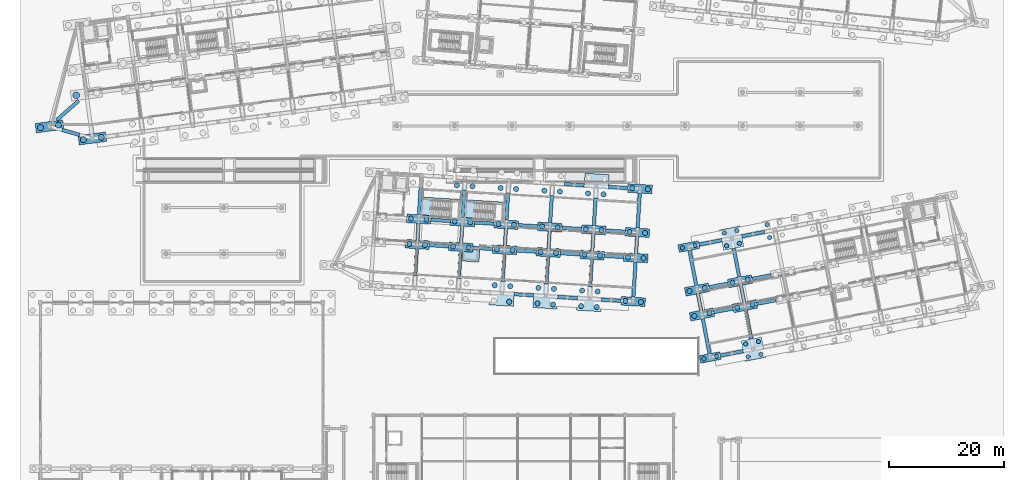
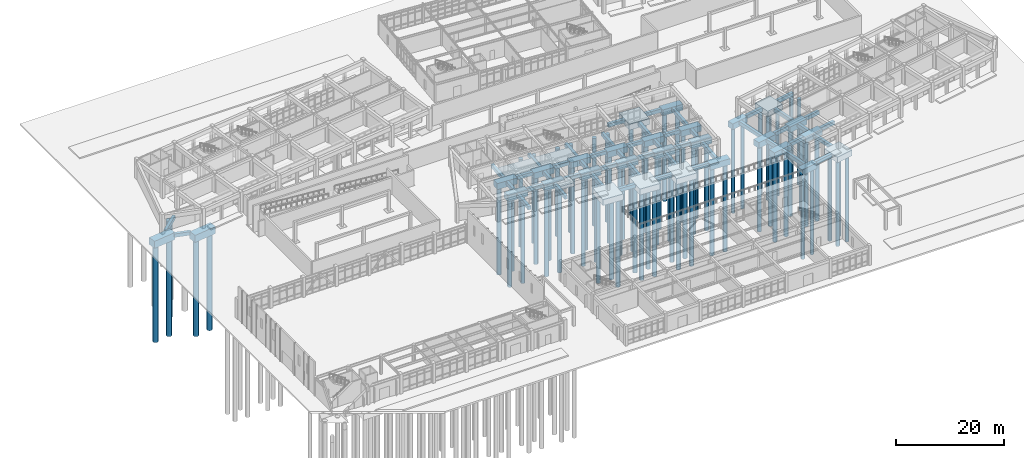
# One storey, part 2 of 154: 79 footings, 74 piles.
"""IFC4 building model written with IfcOpenShell, lengths in metres."""

from ifc_helpers import new_model, si_unit, direction, frame, origin, origin_2d, place, context, subcontext, project, spatial, rectangle, circle, extrude, material, material_profile, profile_set, type_object, element, save


model = new_model("IFC4")

# Units and contexts
model_context = context("Model", 3, precision=1e-05, world=origin(), true_north=direction((0.0, 1.0)))
body_context = subcontext(model_context, "Body", "Model", "MODEL_VIEW")
ifc_project = project(units=[si_unit("LENGTHUNIT", "METRE"), si_unit("AREAUNIT", "SQUARE_METRE"), si_unit("VOLUMEUNIT", "CUBIC_METRE"), si_unit("PLANEANGLEUNIT", "RADIAN"), si_unit("MASSUNIT", "GRAM", prefix="KILO")], contexts=[model_context])

# Site, building, storey
site_placement = place(None, origin())
site = spatial("IfcSite", under=ifc_project, at=site_placement, CompositionType="ELEMENT")
building_placement = place(site_placement, origin())
building = spatial("IfcBuilding", under=site, at=building_placement, Name="Kestramere Prow Commons", CompositionType="ELEMENT")
storey_placement = place(building_placement, origin())
storey = spatial("IfcBuildingStorey", under=building, at=storey_placement, Name="L00", CompositionType="ELEMENT", Elevation=0.0)

# Piles
ifc_material = material(Name="Concrete C35/45", Category="concrete")
ifc_material_profile_1 = material_profile(ifc_material, circle(Radius=0.52490234375, at=origin_2d()), Name="BORED PILE D1050")
ifc_profile_set_1 = profile_set([ifc_material_profile_1], Name="Concrete C35/45")
pile_type_1 = type_object("IfcPileType", Name="BP-1050 BORED PILE D1050", PredefinedType="BORED", material=ifc_profile_set_1)
for number, where, z_axis, x_axis, name in (
    (1, (9.638427734375, 71.79443359375, -1.85009765625), (0.0, 0.0, -1.0), (1.0, 0.0, 0.0), "Bored pile FC-A-0-0-P1"),
    (2, (12.761474609375, 72.20556640625, -1.85009765625), (0.0, 0.0, -1.0), (1.0, 0.0, 0.0), "Bored pile FC-A-0-0-P2"),
    (3, (2.201171875, 73.8916015625, -1.85009765625), (0.0, 0.0, -1.0), (1.0, 0.0, 0.0), "Bored pile FC-A-PROW-P1"),
    (4, (5.32421875, 74.302734375, -1.85009765625), (0.0, 0.0, -1.0), (1.0, 0.0, 0.0), "Bored pile FC-A-PROW-P2"),
):
    element("IfcPile", number, at=place(storey_placement, frame(where, z_axis=z_axis, x_axis=x_axis)), inside=storey, type_object=pile_type_1, Name=name, PredefinedType="BORED", context=body_context, shape_type="SweptSolid", body=[
        extrude(circle(Radius=0.52490234375, at=origin_2d()), origin(), (0.0, 0.0, 1.0), 21.800048828125),
    ])
ifc_material_profile_2 = material_profile(ifc_material, circle(Radius=0.60009765625, at=origin_2d()), Name="BORED PILE D1200")
ifc_profile_set_2 = profile_set([ifc_material_profile_2], Name="Concrete C35/45")
pile_type_2 = type_object("IfcPileType", Name="BP-1200 BORED PILE D1200", PredefinedType="BORED", material=ifc_profile_set_2)
pile_placement = place(storey_placement, frame((8.397216796875, 79.498291015625, -1.85009765625), z_axis=(0.0, 0.0, -1.0), x_axis=(1.0, 0.0, 0.0)))
element("IfcPile", 5, at=pile_placement, inside=storey, type_object=pile_type_2, Name="Bored pile FC-A-0-1-P1", PredefinedType="BORED", context=body_context, shape_type="SweptSolid", body=[
    extrude(circle(Radius=0.60009765625, at=origin_2d()), origin(), (0.0, 0.0, 1.0), 21.800048828125),
])
ifc_material_profile_3 = material_profile(ifc_material, circle(Radius=0.375, at=origin_2d()), Name="BORED PILE D750")
ifc_profile_set_3 = profile_set([ifc_material_profile_3], Name="Concrete C35/45")
pile_type_3 = type_object("IfcPileType", Name="BP-750 BORED PILE D750", PredefinedType="BORED", material=ifc_profile_set_3)
for number, where, z_axis, x_axis, name in (
    (6, (117.295654296875, 33.785400390625, -1.550048828125), (0.0, 0.0, -1.0), (1.0, 0.0, 0.0), "Bored pile FC-D-0-0-P1"),
    (7, (119.50439453125, 34.214599609375, -1.550048828125), (0.0, 0.0, -1.0), (1.0, 0.0, 0.0), "Bored pile FC-D-0-0-P2"),
    (8, (113.555908203125, 53.025146484375, -1.550048828125), (0.0, 0.0, -1.0), (1.0, 0.0, 0.0), "Bored pile FC-D-0-3-P1"),
    (9, (115.764404296875, 53.45458984375, -1.550048828125), (0.0, 0.0, -1.0), (1.0, 0.0, 0.0), "Bored pile FC-D-0-3-P2"),
    (10, (124.970703125, 34.131103515625, -1.550048828125), (0.0, 0.0, -1.0), (1.0, 0.0, 0.0), "Bored pile FC-D-1-0-P1"),
    (11, (127.179443359375, 34.560546875, -1.550048828125), (0.0, 0.0, -1.0), (1.0, 0.0, 0.0), "Bored pile FC-D-1-0-P2"),
    (12, (124.541259765625, 36.33984375, -1.550048828125), (0.0, 0.0, -1.0), (1.0, 0.0, 0.0), "Bored pile FC-D-1-0-P3"),
    (13, (126.75, 36.76904296875, -1.550048828125), (0.0, 0.0, -1.0), (1.0, 0.0, 0.0), "Bored pile FC-D-1-0-P4"),
    (14, (121.23095703125, 53.37109375, -1.550048828125), (0.0, 0.0, -1.0), (1.0, 0.0, 0.0), "Bored pile FC-D-1-3-P1"),
    (15, (123.439453125, 53.80029296875, -1.550048828125), (0.0, 0.0, -1.0), (1.0, 0.0, 0.0), "Bored pile FC-D-1-3-P2"),
    (16, (120.801513671875, 55.579833984375, -1.550048828125), (0.0, 0.0, -1.0), (1.0, 0.0, 0.0), "Bored pile FC-D-1-3-P3"),
    (17, (123.01025390625, 56.009033203125, -1.550048828125), (0.0, 0.0, -1.0), (1.0, 0.0, 0.0), "Bored pile FC-D-1-3-P4"),
    (18, (128.691162109375, 54.8212890625, -1.550048828125), (0.0, 0.0, -1.0), (1.0, 0.0, 0.0), "Bored pile FC-D-2-3-P1"),
    (19, (128.261962890625, 57.02978515625, -1.550048828125), (0.0, 0.0, -1.0), (1.0, 0.0, 0.0), "Bored pile FC-D-2-3-P3"),
):
    element("IfcPile", number, at=place(storey_placement, frame(where, z_axis=z_axis, x_axis=x_axis)), inside=storey, type_object=pile_type_3, Name=name, PredefinedType="BORED", context=body_context, shape_type="SweptSolid", body=[
        extrude(circle(Radius=0.375, at=origin_2d()), origin(), (0.0, 0.0, 1.0), 19.39990234375),
    ])
ifc_material_profile_4 = material_profile(ifc_material, circle(Radius=0.449951171875, at=origin_2d()), Name="BORED PILE D900")
ifc_profile_set_4 = profile_set([ifc_material_profile_4], Name="Concrete C35/45")
pile_type_4 = type_object("IfcPileType", Name="BP-900 BORED PILE D900", PredefinedType="BORED", material=ifc_profile_set_4)
for number, where, z_axis, x_axis, name in (
    (20, (66.202392578125, 53.704345703125, -1.60009765625), (0.0, 0.0, -1.0), (1.0, 0.0, 0.0), "Bored pile FC-C-1-1-P1"),
    (21, (68.897216796875, 53.53955078125, -1.60009765625), (0.0, 0.0, -1.0), (1.0, 0.0, 0.0), "Bored pile FC-C-1-1-P2"),
    (22, (66.470947265625, 58.095947265625, -1.60009765625), (0.0, 0.0, -1.0), (1.0, 0.0, 0.0), "Bored pile FC-C-1-2-P1"),
    (23, (69.165771484375, 57.93115234375, -1.60009765625), (0.0, 0.0, -1.0), (1.0, 0.0, 0.0), "Bored pile FC-C-1-2-P2"),
    (24, (73.7880859375, 53.240234375, -1.60009765625), (0.0, 0.0, -1.0), (1.0, 0.0, 0.0), "Bored pile FC-C-2-1-P1"),
    (25, (76.483154296875, 53.075439453125, -1.60009765625), (0.0, 0.0, -1.0), (1.0, 0.0, 0.0), "Bored pile FC-C-2-1-P2"),
    (26, (74.056640625, 57.632080078125, -1.60009765625), (0.0, 0.0, -1.0), (1.0, 0.0, 0.0), "Bored pile FC-C-2-2-P1"),
    (27, (76.751708984375, 57.46728515625, -1.60009765625), (0.0, 0.0, -1.0), (1.0, 0.0, 0.0), "Bored pile FC-C-2-2-P2"),
    (28, (74.438232421875, 63.870361328125, -1.60009765625), (0.0, 0.0, -1.0), (1.0, 0.0, 0.0), "Bored pile FC-C-2-3-P1"),
    (29, (77.13330078125, 63.70556640625, -1.60009765625), (0.0, 0.0, -1.0), (1.0, 0.0, 0.0), "Bored pile FC-C-2-3-P2"),
    (30, (83.5224609375, 43.67822265625, -1.60009765625), (0.0, 0.0, -1.0), (1.0, 0.0, 0.0), "Bored pile FC-C-3-0-P2"),
    (31, (80.992431640625, 46.5380859375, -1.60009765625), (0.0, 0.0, -1.0), (1.0, 0.0, 0.0), "Bored pile FC-C-3-0-P3"),
    (32, (83.687255859375, 46.373046875, -1.60009765625), (0.0, 0.0, -1.0), (1.0, 0.0, 0.0), "Bored pile FC-C-3-0-P4"),
    (33, (81.3740234375, 52.7763671875, -1.60009765625), (0.0, 0.0, -1.0), (1.0, 0.0, 0.0), "Bored pile FC-C-3-1-P1"),
    (34, (84.06884765625, 52.611572265625, -1.60009765625), (0.0, 0.0, -1.0), (1.0, 0.0, 0.0), "Bored pile FC-C-3-1-P2"),
    (35, (81.642578125, 57.168212890625, -1.60009765625), (0.0, 0.0, -1.0), (1.0, 0.0, 0.0), "Bored pile FC-C-3-2-P1"),
    (36, (84.337646484375, 57.003173828125, -1.60009765625), (0.0, 0.0, -1.0), (1.0, 0.0, 0.0), "Bored pile FC-C-3-2-P2"),
    (37, (82.024169921875, 63.406494140625, -1.60009765625), (0.0, 0.0, -1.0), (1.0, 0.0, 0.0), "Bored pile FC-C-3-3-P1"),
    (38, (84.718994140625, 63.24169921875, -1.60009765625), (0.0, 0.0, -1.0), (1.0, 0.0, 0.0), "Bored pile FC-C-3-3-P2"),
    (39, (88.413330078125, 43.379150390625, -1.60009765625), (0.0, 0.0, -1.0), (1.0, 0.0, 0.0), "Bored pile FC-C-4-0-P1"),
    (40, (91.1083984375, 43.214111328125, -1.60009765625), (0.0, 0.0, -1.0), (1.0, 0.0, 0.0), "Bored pile FC-C-4-0-P2"),
    (41, (88.578125, 46.073974609375, -1.60009765625), (0.0, 0.0, -1.0), (1.0, 0.0, 0.0), "Bored pile FC-C-4-0-P3"),
    (42, (91.273193359375, 45.9091796875, -1.60009765625), (0.0, 0.0, -1.0), (1.0, 0.0, 0.0), "Bored pile FC-C-4-0-P4"),
    (43, (88.959716796875, 52.312255859375, -1.60009765625), (0.0, 0.0, -1.0), (1.0, 0.0, 0.0), "Bored pile FC-C-4-1-P1"),
    (44, (91.65478515625, 52.1474609375, -1.60009765625), (0.0, 0.0, -1.0), (1.0, 0.0, 0.0), "Bored pile FC-C-4-1-P2"),
    (45, (89.228515625, 56.7041015625, -1.60009765625), (0.0, 0.0, -1.0), (1.0, 0.0, 0.0), "Bored pile FC-C-4-2-P1"),
    (46, (91.92333984375, 56.539306640625, -1.60009765625), (0.0, 0.0, -1.0), (1.0, 0.0, 0.0), "Bored pile FC-C-4-2-P2"),
    (47, (89.60986328125, 62.9423828125, -1.60009765625), (0.0, 0.0, -1.0), (1.0, 0.0, 0.0), "Bored pile FC-C-4-3-P1"),
    (48, (92.304931640625, 62.777587890625, -1.60009765625), (0.0, 0.0, -1.0), (1.0, 0.0, 0.0), "Bored pile FC-C-4-3-P2"),
    (49, (95.999267578125, 42.9150390625, -1.60009765625), (0.0, 0.0, -1.0), (1.0, 0.0, 0.0), "Bored pile FC-C-5-0-P1"),
    (50, (98.694091796875, 42.750244140625, -1.60009765625), (0.0, 0.0, -1.0), (1.0, 0.0, 0.0), "Bored pile FC-C-5-0-P2"),
    (51, (96.1640625, 45.610107421875, -1.60009765625), (0.0, 0.0, -1.0), (1.0, 0.0, 0.0), "Bored pile FC-C-5-0-P3"),
    (52, (98.859130859375, 45.4453125, -1.60009765625), (0.0, 0.0, -1.0), (1.0, 0.0, 0.0), "Bored pile FC-C-5-0-P4"),
    (53, (96.545654296875, 51.848388671875, -1.60009765625), (0.0, 0.0, -1.0), (1.0, 0.0, 0.0), "Bored pile FC-C-5-1-P1"),
    (54, (99.240478515625, 51.68359375, -1.60009765625), (0.0, 0.0, -1.0), (1.0, 0.0, 0.0), "Bored pile FC-C-5-1-P2"),
    (55, (96.814208984375, 56.240234375, -1.60009765625), (0.0, 0.0, -1.0), (1.0, 0.0, 0.0), "Bored pile FC-C-5-2-P1"),
    (56, (99.50927734375, 56.075439453125, -1.60009765625), (0.0, 0.0, -1.0), (1.0, 0.0, 0.0), "Bored pile FC-C-5-2-P2"),
    (57, (97.19580078125, 62.478515625, -1.60009765625), (0.0, 0.0, -1.0), (1.0, 0.0, 0.0), "Bored pile FC-C-5-3-P1"),
    (58, (99.890625, 62.313720703125, -1.60009765625), (0.0, 0.0, -1.0), (1.0, 0.0, 0.0), "Bored pile FC-C-5-3-P2"),
    (59, (103.66748046875, 43.798583984375, -1.60009765625), (0.0, 0.0, -1.0), (1.0, 0.0, 0.0), "Bored pile FC-C-6-0-P1"),
    (60, (106.362548828125, 43.6337890625, -1.60009765625), (0.0, 0.0, -1.0), (1.0, 0.0, 0.0), "Bored pile FC-C-6-0-P2"),
    (61, (104.13134765625, 51.384521484375, -1.60009765625), (0.0, 0.0, -1.0), (1.0, 0.0, 0.0), "Bored pile FC-C-6-1-P1"),
    (62, (106.826416015625, 51.219482421875, -1.60009765625), (0.0, 0.0, -1.0), (1.0, 0.0, 0.0), "Bored pile FC-C-6-1-P2"),
    (63, (104.400146484375, 55.776123046875, -1.60009765625), (0.0, 0.0, -1.0), (1.0, 0.0, 0.0), "Bored pile FC-C-6-2-P1"),
    (64, (107.094970703125, 55.611328125, -1.60009765625), (0.0, 0.0, -1.0), (1.0, 0.0, 0.0), "Bored pile FC-C-6-2-P2"),
    (65, (104.864013671875, 63.362060546875, -1.60009765625), (0.0, 0.0, -1.0), (1.0, 0.0, 0.0), "Bored pile FC-C-6-3-P1"),
    (66, (107.55908203125, 63.197265625, -1.60009765625), (0.0, 0.0, -1.0), (1.0, 0.0, 0.0), "Bored pile FC-C-6-3-P2"),
):
    element("IfcPile", number, at=place(storey_placement, frame(where, z_axis=z_axis, x_axis=x_axis)), inside=storey, type_object=pile_type_4, Name=name, PredefinedType="BORED", context=body_context, shape_type="SweptSolid", body=[
        extrude(circle(Radius=0.449951171875, at=origin_2d()), origin(), (0.0, 0.0, 1.0), 19.800048828125),
    ])
for number, where, z_axis, x_axis, name in (
    (67, (115.624755859375, 41.202880859375, -1.550048828125), (0.0, 0.0, -1.0), (1.0, 0.0, 0.0), "Bored pile FC-D-0-1-P1"),
    (68, (118.275146484375, 41.718017578125, -1.550048828125), (0.0, 0.0, -1.0), (1.0, 0.0, 0.0), "Bored pile FC-D-0-1-P2"),
    (69, (114.78515625, 45.52197265625, -1.550048828125), (0.0, 0.0, -1.0), (1.0, 0.0, 0.0), "Bored pile FC-D-0-2-P1"),
    (70, (117.435546875, 46.037109375, -1.550048828125), (0.0, 0.0, -1.0), (1.0, 0.0, 0.0), "Bored pile FC-D-0-2-P2"),
    (71, (123.0849609375, 42.65283203125, -1.550048828125), (0.0, 0.0, -1.0), (1.0, 0.0, 0.0), "Bored pile FC-D-1-1-P1"),
    (72, (125.7353515625, 43.168212890625, -1.550048828125), (0.0, 0.0, -1.0), (1.0, 0.0, 0.0), "Bored pile FC-D-1-1-P2"),
    (73, (122.245361328125, 46.97216796875, -1.550048828125), (0.0, 0.0, -1.0), (1.0, 0.0, 0.0), "Bored pile FC-D-1-2-P1"),
    (74, (124.895751953125, 47.4873046875, -1.550048828125), (0.0, 0.0, -1.0), (1.0, 0.0, 0.0), "Bored pile FC-D-1-2-P2"),
):
    element("IfcPile", number, at=place(storey_placement, frame(where, z_axis=z_axis, x_axis=x_axis)), inside=storey, type_object=pile_type_4, Name=name, PredefinedType="BORED", context=body_context, shape_type="SweptSolid", body=[
        extrude(circle(Radius=0.449951171875, at=origin_2d()), origin(), (0.0, 0.0, 1.0), 19.39990234375),
    ])

# Footings
footing_type_1 = type_object("IfcFootingType", Name="FT-CORE-STRIP", PredefinedType="STRIP_FOOTING", material=ifc_material)
for number, where, z_axis, x_axis, name in (
    (75, (71.73193359375, 59.7529296875, -1.14990234375), (0.0, 0.0, 1.0), (0.998134798422, -0.061048539535, 0.0), "ST-C1 Stair Core Raft Footing"),
    (76, (79.317626953125, 59.2890625, -1.14990234375), (0.0, 0.0, 1.0), (0.998134798422, -0.061048539535, 0.0), "ST-C2 Stair Core Raft Footing"),
):
    element("IfcFooting", number, at=place(storey_placement, frame(where, z_axis=z_axis, x_axis=x_axis)), inside=storey, type_object=footing_type_1, Name=name, PredefinedType="STRIP_FOOTING", context=body_context, shape_type="SweptSolid", body=[
        extrude(rectangle(XDim=7.39990234375, YDim=3.75, at=origin_2d()), origin(), (0.0, 0.0, 1.0), 0.800048828125),
    ])
footing_1_placement = place(storey_placement, frame((76.815185546875, 51.953125, -1.14990234375), z_axis=(0.0, 0.0, 1.0), x_axis=(0.998134798422, -0.061048539535, 0.0)))
element("IfcFooting", 77, at=footing_1_placement, inside=storey, type_object=footing_type_1, Name="Block C Household Shelter Footing", PredefinedType="STRIP_FOOTING", context=body_context, shape_type="SweptSolid", body=[
    extrude(rectangle(XDim=3.10009765625, YDim=2.60009765625, at=origin_2d()), origin(), (0.0, 0.0, 1.0), 0.800048828125),
])
footing_type_2 = type_object("IfcFootingType", Name="GB-01 600x800 L3190", PredefinedType="FOOTING_BEAM", material=ifc_material)
footing_2_placement = place(storey_placement, frame((7.481201171875, 73.048583984375, -1.14990234375), z_axis=(0.0, 0.0, 1.0), x_axis=(0.962468026715, -0.271395094929, 0.0)))
element("IfcFooting", 78, at=footing_2_placement, inside=storey, type_object=footing_type_2, Name="Foundation ground beam GBP-A-0", PredefinedType="FOOTING_BEAM", context=body_context, shape_type="SweptSolid", body=[
    extrude(rectangle(XDim=3.18701171875, YDim=0.60009765625, at=origin_2d()), origin(), (0.0, 0.0, 1.0), 0.800048828125),
])
footing_type_3 = type_object("IfcFootingType", Name="GB-02 600x800 L5080", PredefinedType="FOOTING_BEAM", material=ifc_material)
footing_3_placement = place(storey_placement, frame((6.921630859375, 76.87060546875, -1.14990234375), z_axis=(0.0, 0.0, 1.0), x_axis=(0.751458775337, 0.659780045901, 0.0)))
element("IfcFooting", 79, at=footing_3_placement, inside=storey, type_object=footing_type_3, Name="Foundation ground beam GBP-A-1", PredefinedType="FOOTING_BEAM", context=body_context, shape_type="SweptSolid", body=[
    extrude(rectangle(XDim=5.080078125, YDim=0.60009765625, at=origin_2d()), origin(), (0.0, 0.0, 1.0), 0.800048828125),
])
footing_type_4 = type_object("IfcFootingType", Name="GB-03 600x800 L4000", PredefinedType="FOOTING_BEAM", material=ifc_material)
for number, where, z_axis, x_axis, name in (
    (80, (122.130126953125, 34.72509765625, -1.14990234375), (0.0, 0.0, 1.0), (0.981627183448, 0.190808995377, 0.0), "Foundation ground beam GBU-D-0-0"),
    (81, (118.390380859375, 53.965087890625, -1.14990234375), (0.0, 0.0, 1.0), (0.981627183448, 0.190808995377, 0.0), "Foundation ground beam GBU-D-0-3"),
    (82, (125.8505859375, 55.4150390625, -1.14990234375), (0.0, 0.0, 1.0), (0.981627183448, 0.190808995377, 0.0), "Foundation ground beam GBU-D-1-3"),
):
    element("IfcFooting", number, at=place(storey_placement, frame(where, z_axis=z_axis, x_axis=x_axis)), inside=storey, type_object=footing_type_4, Name=name, PredefinedType="FOOTING_BEAM", context=body_context, shape_type="SweptSolid", body=[
        extrude(rectangle(XDim=4.0, YDim=0.60009765625, at=origin_2d()), origin(), (0.0, 0.0, 1.0), 0.800048828125),
    ])
footing_type_5 = type_object("IfcFootingType", Name="GB-04 600x800 L3400", PredefinedType="FOOTING_BEAM", material=ifc_material)
for number, where, z_axis, x_axis, name in (
    (83, (71.3427734375, 53.389892578125, -1.14990234375), (0.0, 0.0, 1.0), (0.998134798422, -0.061048539535, 0.0), "Foundation ground beam GBU-C-1-1"),
    (84, (71.611328125, 57.78173828125, -1.14990234375), (0.0, 0.0, 1.0), (0.998134798422, -0.061048539535, 0.0), "Foundation ground beam GBU-C-1-2"),
    (85, (78.928466796875, 52.92578125, -1.14990234375), (0.0, 0.0, 1.0), (0.998134798422, -0.061048539535, 0.0), "Foundation ground beam GBU-C-2-1"),
    (86, (79.197265625, 57.317626953125, -1.14990234375), (0.0, 0.0, 1.0), (0.998134798422, -0.061048539535, 0.0), "Foundation ground beam GBU-C-2-2"),
    (87, (86.05029296875, 44.876220703125, -1.14990234375), (0.0, 0.0, 1.0), (0.998134798422, -0.061048539535, 0.0), "Foundation ground beam GBU-C-3-0"),
    (88, (86.514404296875, 52.4619140625, -1.14990234375), (0.0, 0.0, 1.0), (0.998134798422, -0.061048539535, 0.0), "Foundation ground beam GBU-C-3-1"),
    (89, (86.782958984375, 56.853759765625, -1.14990234375), (0.0, 0.0, 1.0), (0.998134798422, -0.061048539535, 0.0), "Foundation ground beam GBU-C-3-2"),
    (90, (93.63623046875, 44.412109375, -1.14990234375), (0.0, 0.0, 1.0), (0.998134798422, -0.061048539535, 0.0), "Foundation ground beam GBU-C-4-0"),
    (91, (94.10009765625, 51.998046875, -1.14990234375), (0.0, 0.0, 1.0), (0.998134798422, -0.061048539535, 0.0), "Foundation ground beam GBU-C-4-1"),
    (92, (94.368896484375, 56.3896484375, -1.14990234375), (0.0, 0.0, 1.0), (0.998134798422, -0.061048539535, 0.0), "Foundation ground beam GBU-C-4-2"),
    (93, (94.832763671875, 63.9755859375, -1.14990234375), (0.0, 0.0, 1.0), (0.998134798422, -0.061048539535, 0.0), "Foundation ground beam GBU-C-4-3"),
    (94, (101.221923828125, 43.9482421875, -1.14990234375), (0.0, 0.0, 1.0), (0.998134798422, -0.061048539535, 0.0), "Foundation ground beam GBU-C-5-0"),
    (95, (101.68603515625, 51.533935546875, -1.14990234375), (0.0, 0.0, 1.0), (0.998134798422, -0.061048539535, 0.0), "Foundation ground beam GBU-C-5-1"),
    (96, (101.95458984375, 55.92578125, -1.14990234375), (0.0, 0.0, 1.0), (0.998134798422, -0.061048539535, 0.0), "Foundation ground beam GBU-C-5-2"),
    (97, (102.418701171875, 63.51171875, -1.14990234375), (0.0, 0.0, 1.0), (0.998134798422, -0.061048539535, 0.0), "Foundation ground beam GBU-C-5-3"),
    (98, (120.679931640625, 42.185546875, -1.14990234375), (0.0, 0.0, 1.0), (0.981627183448, 0.190808995377, 0.0), "Foundation ground beam GBU-D-0-1"),
    (99, (119.840576171875, 46.504638671875, -1.14990234375), (0.0, 0.0, 1.0), (0.981627183448, 0.190808995377, 0.0), "Foundation ground beam GBU-D-0-2"),
    (100, (128.140380859375, 43.635498046875, -1.14990234375), (0.0, 0.0, 1.0), (0.981627183448, 0.190808995377, 0.0), "Foundation ground beam GBU-D-1-1"),
    (101, (127.30078125, 47.954833984375, -1.14990234375), (0.0, 0.0, 1.0), (0.981627183448, 0.190808995377, 0.0), "Foundation ground beam GBU-D-1-2"),
):
    element("IfcFooting", number, at=place(storey_placement, frame(where, z_axis=z_axis, x_axis=x_axis)), inside=storey, type_object=footing_type_5, Name=name, PredefinedType="FOOTING_BEAM", context=body_context, shape_type="SweptSolid", body=[
        extrude(rectangle(XDim=3.39990234375, YDim=0.60009765625, at=origin_2d()), origin(), (0.0, 0.0, 1.0), 0.800048828125),
    ])
footing_type_6 = type_object("IfcFootingType", Name="GB-17 600x800 L6100", PredefinedType="FOOTING_BEAM", material=ifc_material)
for number, where, z_axis, x_axis, name in (
    (102, (105.246826171875, 47.509033203125, -1.14990234375), (0.0, 0.0, 1.0), (0.061048539535, 0.998134798422, 0.0), "Foundation ground beam GBV-C-6-0"),
    (103, (105.9794921875, 59.48681640625, -1.14990234375), (0.0, 0.0, 1.0), (0.061048539535, 0.998134798422, 0.0), "Foundation ground beam GBV-C-6-2"),
):
    element("IfcFooting", number, at=place(storey_placement, frame(where, z_axis=z_axis, x_axis=x_axis)), inside=storey, type_object=footing_type_6, Name=name, PredefinedType="FOOTING_BEAM", context=body_context, shape_type="SweptSolid", body=[
        extrude(rectangle(XDim=6.10009765625, YDim=0.60009765625, at=origin_2d()), origin(), (0.0, 0.0, 1.0), 0.800048828125),
    ])
footing_type_7 = type_object("IfcFootingType", Name="GB-18 600x800 L2900", PredefinedType="FOOTING_BEAM", material=ifc_material)
for number, where, z_axis, x_axis, name in (
    (104, (67.68408203125, 55.81787109375, -1.14990234375), (0.0, 0.0, 1.0), (0.061048539535, 0.998134798422, 0.0), "Foundation ground beam GBV-C-1-1"),
    (105, (75.27001953125, 55.353759765625, -1.14990234375), (0.0, 0.0, 1.0), (0.061048539535, 0.998134798422, 0.0), "Foundation ground beam GBV-C-2-1"),
    (106, (82.855712890625, 54.889892578125, -1.14990234375), (0.0, 0.0, 1.0), (0.061048539535, 0.998134798422, 0.0), "Foundation ground beam GBV-C-3-1"),
    (107, (90.441650390625, 54.42578125, -1.14990234375), (0.0, 0.0, 1.0), (0.061048539535, 0.998134798422, 0.0), "Foundation ground beam GBV-C-4-1"),
    (108, (98.02734375, 53.9619140625, -1.14990234375), (0.0, 0.0, 1.0), (0.061048539535, 0.998134798422, 0.0), "Foundation ground beam GBV-C-5-1"),
    (109, (105.61328125, 53.497802734375, -1.14990234375), (0.0, 0.0, 1.0), (0.061048539535, 0.998134798422, 0.0), "Foundation ground beam GBV-C-6-1"),
    (110, (116.530029296875, 43.619873046875, -1.14990234375), (0.0, 0.0, 1.0), (-0.190808995377, 0.981627183448, 0.0), "Foundation ground beam GBV-D-0-1"),
    (111, (123.990478515625, 45.070068359375, -1.14990234375), (0.0, 0.0, 1.0), (-0.190808995377, 0.981627183448, 0.0), "Foundation ground beam GBV-D-1-1"),
):
    element("IfcFooting", number, at=place(storey_placement, frame(where, z_axis=z_axis, x_axis=x_axis)), inside=storey, type_object=footing_type_7, Name=name, PredefinedType="FOOTING_BEAM", context=body_context, shape_type="SweptSolid", body=[
        extrude(rectangle(XDim=2.89990234375, YDim=0.60009765625, at=origin_2d()), origin(), (0.0, 0.0, 1.0), 0.800048828125),
    ])
footing_type_8 = type_object("IfcFootingType", Name="GB-19 600x800 L4750", PredefinedType="FOOTING_BEAM", material=ifc_material)
for number, where, z_axis, x_axis, name in (
    (112, (67.359130859375, 50.502685546875, -1.14990234375), (0.0, 0.0, 1.0), (0.061048539535, 0.998134798422, 0.0), "Foundation ground beam GBV-C-1-0"),
    (113, (68.00927734375, 61.1328125, -1.14990234375), (0.0, 0.0, 1.0), (0.061048539535, 0.998134798422, 0.0), "Foundation ground beam GBV-C-1-2"),
    (114, (74.94482421875, 50.038818359375, -1.14990234375), (0.0, 0.0, 1.0), (0.061048539535, 0.998134798422, 0.0), "Foundation ground beam GBV-C-2-0"),
    (115, (75.594970703125, 60.6689453125, -1.14990234375), (0.0, 0.0, 1.0), (0.061048539535, 0.998134798422, 0.0), "Foundation ground beam GBV-C-2-2"),
    (116, (82.53076171875, 49.57470703125, -1.14990234375), (0.0, 0.0, 1.0), (0.061048539535, 0.998134798422, 0.0), "Foundation ground beam GBV-C-3-0"),
    (117, (83.180908203125, 60.204833984375, -1.14990234375), (0.0, 0.0, 1.0), (0.061048539535, 0.998134798422, 0.0), "Foundation ground beam GBV-C-3-2"),
    (118, (90.116455078125, 49.11083984375, -1.14990234375), (0.0, 0.0, 1.0), (0.061048539535, 0.998134798422, 0.0), "Foundation ground beam GBV-C-4-0"),
    (119, (90.7666015625, 59.740966796875, -1.14990234375), (0.0, 0.0, 1.0), (0.061048539535, 0.998134798422, 0.0), "Foundation ground beam GBV-C-4-2"),
    (120, (97.702392578125, 48.646728515625, -1.14990234375), (0.0, 0.0, 1.0), (0.061048539535, 0.998134798422, 0.0), "Foundation ground beam GBV-C-5-0"),
    (121, (98.3525390625, 59.27685546875, -1.14990234375), (0.0, 0.0, 1.0), (0.061048539535, 0.998134798422, 0.0), "Foundation ground beam GBV-C-5-2"),
):
    element("IfcFooting", number, at=place(storey_placement, frame(where, z_axis=z_axis, x_axis=x_axis)), inside=storey, type_object=footing_type_8, Name=name, PredefinedType="FOOTING_BEAM", context=body_context, shape_type="SweptSolid", body=[
        extrude(rectangle(XDim=4.75, YDim=0.60009765625, at=origin_2d()), origin(), (0.0, 0.0, 1.0), 0.800048828125),
    ])
footing_type_9 = type_object("IfcFootingType", Name="GB-22 600x800 L6170", PredefinedType="FOOTING_BEAM", material=ifc_material)
for number, where, z_axis, x_axis, name in (
    (122, (117.68212890625, 37.693359375, -1.14990234375), (0.0, 0.0, 1.0), (-0.190808995377, 0.981627183448, 0.0), "Foundation ground beam GBV-D-0-0"),
    (123, (115.378173828125, 49.546630859375, -1.14990234375), (0.0, 0.0, 1.0), (-0.190808995377, 0.981627183448, 0.0), "Foundation ground beam GBV-D-0-2"),
):
    element("IfcFooting", number, at=place(storey_placement, frame(where, z_axis=z_axis, x_axis=x_axis)), inside=storey, type_object=footing_type_9, Name=name, PredefinedType="FOOTING_BEAM", context=body_context, shape_type="SweptSolid", body=[
        extrude(rectangle(XDim=6.175048828125, YDim=0.60009765625, at=origin_2d()), origin(), (0.0, 0.0, 1.0), 0.800048828125),
    ])
footing_type_10 = type_object("IfcFootingType", Name="GB-23 600x800 L5050", PredefinedType="FOOTING_BEAM", material=ifc_material)
for number, where, z_axis, x_axis, name in (
    (124, (125.03515625, 39.69580078125, -1.14990234375), (0.0, 0.0, 1.0), (-0.190808995377, 0.981627183448, 0.0), "Foundation ground beam GBV-D-1-0"),
    (125, (122.94580078125, 50.444580078125, -1.14990234375), (0.0, 0.0, 1.0), (-0.190808995377, 0.981627183448, 0.0), "Foundation ground beam GBV-D-1-2"),
):
    element("IfcFooting", number, at=place(storey_placement, frame(where, z_axis=z_axis, x_axis=x_axis)), inside=storey, type_object=footing_type_10, Name=name, PredefinedType="FOOTING_BEAM", context=body_context, shape_type="SweptSolid", body=[
        extrude(rectangle(XDim=5.050048828125, YDim=0.60009765625, at=origin_2d()), origin(), (0.0, 0.0, 1.0), 0.800048828125),
    ])
footing_type_11 = type_object("IfcFootingType", Name="PC-01 4800x1650x1600", PredefinedType="PILE_CAP", material=ifc_material)
for number, where, z_axis, x_axis, name in (
    (126, (11.199951171875, 72.0, -1.949951171875), (0.0, 0.0, 1.0), (0.991444861374, 0.13052619222, 0.0), "Pile cap FC-A-0-0"),
    (127, (3.7626953125, 74.09716796875, -1.949951171875), (0.0, 0.0, 1.0), (0.991444861374, 0.13052619222, 0.0), "Pile cap FC-A-PROW"),
):
    element("IfcFooting", number, at=place(storey_placement, frame(where, z_axis=z_axis, x_axis=x_axis)), inside=storey, type_object=footing_type_11, Name=name, PredefinedType="PILE_CAP", context=body_context, shape_type="SweptSolid", body=[
        extrude(rectangle(XDim=4.800048828125, YDim=1.64990234375, at=origin_2d()), origin(), (0.0, 0.0, 1.0), 1.60009765625),
    ])
footing_type_12 = type_object("IfcFootingType", Name="PC-07 4200x1500x1350", PredefinedType="PILE_CAP", material=ifc_material)
for number, where, z_axis, x_axis, name in (
    (128, (67.5498046875, 53.621826171875, -1.699951171875), (0.0, 0.0, 1.0), (0.998134798422, -0.061048539535, 0.0), "Pile cap FC-C-1-1"),
    (129, (67.818359375, 58.013671875, -1.699951171875), (0.0, 0.0, 1.0), (0.998134798422, -0.061048539535, 0.0), "Pile cap FC-C-1-2"),
    (130, (75.135498046875, 53.157958984375, -1.699951171875), (0.0, 0.0, 1.0), (0.998134798422, -0.061048539535, 0.0), "Pile cap FC-C-2-1"),
    (131, (75.404296875, 57.549560546875, -1.699951171875), (0.0, 0.0, 1.0), (0.998134798422, -0.061048539535, 0.0), "Pile cap FC-C-2-2"),
    (132, (82.721435546875, 52.69384765625, -1.699951171875), (0.0, 0.0, 1.0), (0.998134798422, -0.061048539535, 0.0), "Pile cap FC-C-3-1"),
    (133, (82.989990234375, 57.085693359375, -1.699951171875), (0.0, 0.0, 1.0), (0.998134798422, -0.061048539535, 0.0), "Pile cap FC-C-3-2"),
    (134, (90.307373046875, 52.22998046875, -1.699951171875), (0.0, 0.0, 1.0), (0.998134798422, -0.061048539535, 0.0), "Pile cap FC-C-4-1"),
    (135, (90.575927734375, 56.621826171875, -1.699951171875), (0.0, 0.0, 1.0), (0.998134798422, -0.061048539535, 0.0), "Pile cap FC-C-4-2"),
    (136, (97.89306640625, 51.765869140625, -1.699951171875), (0.0, 0.0, 1.0), (0.998134798422, -0.061048539535, 0.0), "Pile cap FC-C-5-1"),
    (137, (98.16162109375, 56.15771484375, -1.699951171875), (0.0, 0.0, 1.0), (0.998134798422, -0.061048539535, 0.0), "Pile cap FC-C-5-2"),
    (138, (105.014892578125, 43.71630859375, -1.699951171875), (0.0, 0.0, 1.0), (0.998134798422, -0.061048539535, 0.0), "Pile cap FC-C-6-0"),
    (139, (105.47900390625, 51.302001953125, -1.699951171875), (0.0, 0.0, 1.0), (0.998134798422, -0.061048539535, 0.0), "Pile cap FC-C-6-1"),
    (140, (105.74755859375, 55.69384765625, -1.699951171875), (0.0, 0.0, 1.0), (0.998134798422, -0.061048539535, 0.0), "Pile cap FC-C-6-2"),
    (141, (106.21142578125, 63.279541015625, -1.699951171875), (0.0, 0.0, 1.0), (0.998134798422, -0.061048539535, 0.0), "Pile cap FC-C-6-3"),
):
    element("IfcFooting", number, at=place(storey_placement, frame(where, z_axis=z_axis, x_axis=x_axis)), inside=storey, type_object=footing_type_12, Name=name, PredefinedType="PILE_CAP", context=body_context, shape_type="SweptSolid", body=[
        extrude(rectangle(XDim=4.199951171875, YDim=1.5, at=origin_2d()), origin(), (0.0, 0.0, 1.0), 1.35009765625),
    ])
footing_type_13 = type_object("IfcFootingType", Name="PC-08 4200x4200x1350", PredefinedType="PILE_CAP", material=ifc_material)
for number, where, z_axis, x_axis, name in (
    (142, (82.257568359375, 45.108154296875, -1.699951171875), (0.0, 0.0, 1.0), (0.998134798422, -0.061048539535, 0.0), "Pile cap FC-C-3-0"),
    (143, (89.84326171875, 44.64404296875, -1.699951171875), (0.0, 0.0, 1.0), (0.998134798422, -0.061048539535, 0.0), "Pile cap FC-C-4-0"),
    (144, (97.42919921875, 44.18017578125, -1.699951171875), (0.0, 0.0, 1.0), (0.998134798422, -0.061048539535, 0.0), "Pile cap FC-C-5-0"),
    (145, (98.625732421875, 63.74365234375, -1.699951171875), (0.0, 0.0, 1.0), (0.998134798422, -0.061048539535, 0.0), "Pile cap FC-C-5-3"),
):
    element("IfcFooting", number, at=place(storey_placement, frame(where, z_axis=z_axis, x_axis=x_axis)), inside=storey, type_object=footing_type_13, Name=name, PredefinedType="PILE_CAP", context=body_context, shape_type="SweptSolid", body=[
        extrude(rectangle(XDim=4.199951171875, YDim=4.199951171875, at=origin_2d()), origin(), (0.0, 0.0, 1.0), 1.35009765625),
    ])
footing_type_14 = type_object("IfcFootingType", Name="PC-09 3600x1350x1300", PredefinedType="PILE_CAP", material=ifc_material)
for number, where, z_axis, x_axis, name in (
    (146, (118.39990234375, 34.0, -1.64990234375), (0.0, 0.0, 1.0), (0.981627183448, 0.190808995377, 0.0), "Pile cap FC-D-0-0"),
    (147, (114.66015625, 53.239990234375, -1.64990234375), (0.0, 0.0, 1.0), (0.981627183448, 0.190808995377, 0.0), "Pile cap FC-D-0-3"),
):
    element("IfcFooting", number, at=place(storey_placement, frame(where, z_axis=z_axis, x_axis=x_axis)), inside=storey, type_object=footing_type_14, Name=name, PredefinedType="PILE_CAP", context=body_context, shape_type="SweptSolid", body=[
        extrude(rectangle(XDim=3.60009765625, YDim=1.35009765625, at=origin_2d()), origin(), (0.0, 0.0, 1.0), 1.300048828125),
    ])
footing_type_15 = type_object("IfcFootingType", Name="PC-10 4200x1500x1300", PredefinedType="PILE_CAP", material=ifc_material)
for number, where, z_axis, x_axis, name in (
    (148, (116.949951171875, 41.46044921875, -1.64990234375), (0.0, 0.0, 1.0), (0.981627183448, 0.190808995377, 0.0), "Pile cap FC-D-0-1"),
    (149, (116.1103515625, 45.779541015625, -1.64990234375), (0.0, 0.0, 1.0), (0.981627183448, 0.190808995377, 0.0), "Pile cap FC-D-0-2"),
    (150, (124.41015625, 42.910400390625, -1.64990234375), (0.0, 0.0, 1.0), (0.981627183448, 0.190808995377, 0.0), "Pile cap FC-D-1-1"),
    (151, (123.570556640625, 47.229736328125, -1.64990234375), (0.0, 0.0, 1.0), (0.981627183448, 0.190808995377, 0.0), "Pile cap FC-D-1-2"),
):
    element("IfcFooting", number, at=place(storey_placement, frame(where, z_axis=z_axis, x_axis=x_axis)), inside=storey, type_object=footing_type_15, Name=name, PredefinedType="PILE_CAP", context=body_context, shape_type="SweptSolid", body=[
        extrude(rectangle(XDim=4.199951171875, YDim=1.5, at=origin_2d()), origin(), (0.0, 0.0, 1.0), 1.300048828125),
    ])
footing_type_16 = type_object("IfcFootingType", Name="PC-11 3600x3600x1300", PredefinedType="PILE_CAP", material=ifc_material)
for number, where, z_axis, x_axis, name in (
    (152, (125.8603515625, 35.4501953125, -1.64990234375), (0.0, 0.0, 1.0), (0.981627183448, 0.190808995377, 0.0), "Pile cap FC-D-1-0"),
    (153, (122.12060546875, 54.68994140625, -1.64990234375), (0.0, 0.0, 1.0), (0.981627183448, 0.190808995377, 0.0), "Pile cap FC-D-1-3"),
):
    element("IfcFooting", number, at=place(storey_placement, frame(where, z_axis=z_axis, x_axis=x_axis)), inside=storey, type_object=footing_type_16, Name=name, PredefinedType="PILE_CAP", context=body_context, shape_type="SweptSolid", body=[
        extrude(rectangle(XDim=3.60009765625, YDim=3.60009765625, at=origin_2d()), origin(), (0.0, 0.0, 1.0), 1.300048828125),
    ])

save(model, "model.ifc")
